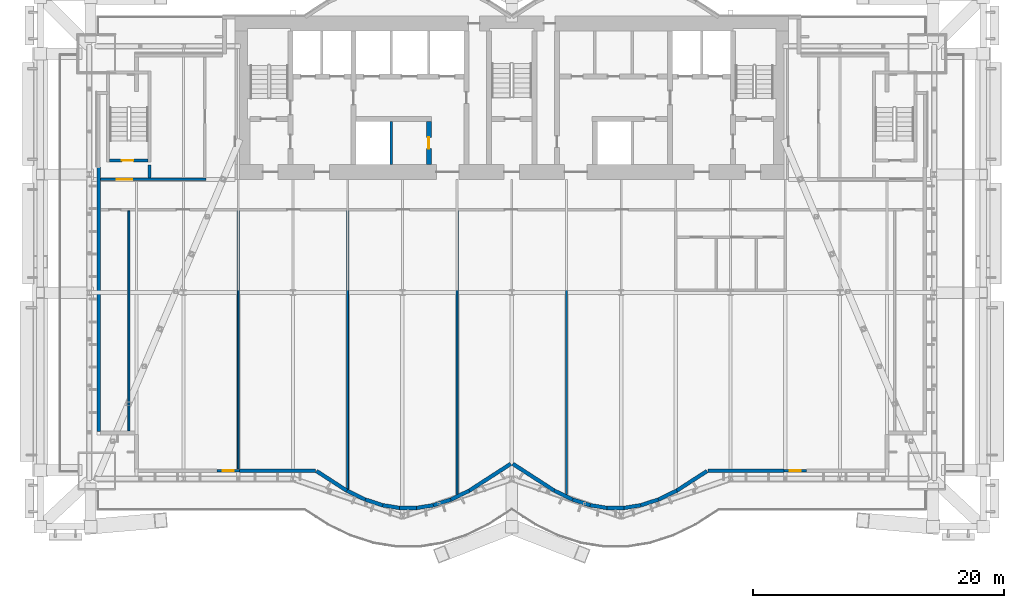
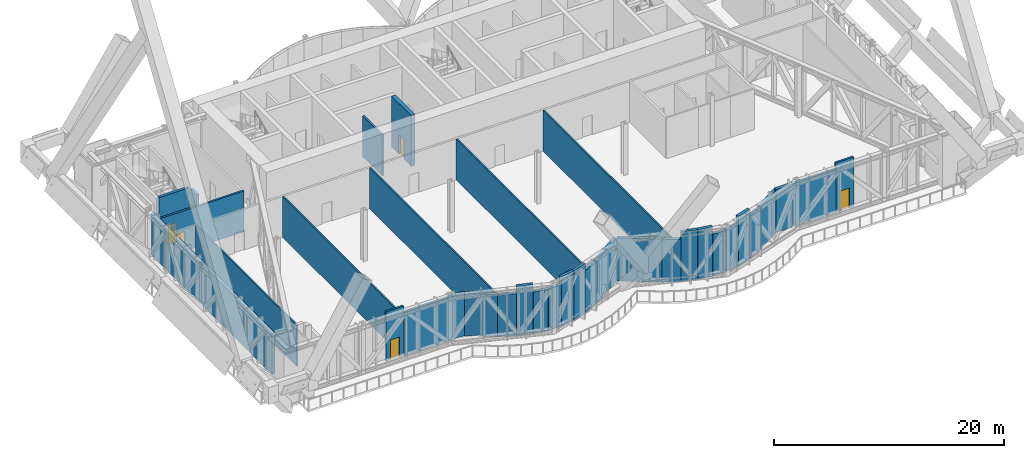
# One storey, part 25 of 32: 33 walls, 5 doors, 5 openings.
"""IFC4 building model written with IfcOpenShell, lengths in metres."""

from ifc_helpers import new_model, si_unit, direction, frame, frame_2d, origin, place, context, subcontext, project, spatial, rectangle, extrude, material, layer, layer_set, layer_usage, type_object, element, fill, save


model = new_model("IFC4")

# Units and contexts
model_context = context("Model", 3, precision=1e-05, world=origin(), true_north=direction((0.0, 1.0)))
body_context = subcontext(model_context, "Body", "Model", "MODEL_VIEW")
ifc_project = project(units=[si_unit("LENGTHUNIT", "METRE"), si_unit("AREAUNIT", "SQUARE_METRE"), si_unit("VOLUMEUNIT", "CUBIC_METRE"), si_unit("PLANEANGLEUNIT", "RADIAN"), si_unit("MASSUNIT", "GRAM", prefix="KILO")], contexts=[model_context])

# Site, building, storey
site_placement = place(None, origin())
site = spatial("IfcSite", under=ifc_project, at=site_placement, CompositionType="ELEMENT")
building_placement = place(site_placement, origin())
building = spatial("IfcBuilding", under=site, at=building_placement, Name="Bicima Exchange Tower", CompositionType="ELEMENT")
storey_placement = place(building_placement, frame((0.0, 0.0, 84.5)))
storey = spatial("IfcBuildingStorey", under=building, at=storey_placement, Name="L17", CompositionType="ELEMENT", Elevation=84.5)

# Wall, opening, door
ifc_material_1 = material(Name="Concrete C40/50", Category="concrete")
ifc_layer_1 = layer(ifc_material_1, 0.2)
ifc_layer_set_1 = layer_set([ifc_layer_1], Name="Concrete C40/50")
ifc_layer_usage_1 = layer_usage(ifc_layer_set_1, "AXIS2", "POSITIVE", -0.1)
wall_type_1 = type_object("IfcWallType", Name="Entrance frame wall 200", PredefinedType="STANDARD", material=ifc_layer_set_1)
wall_1_placement = place(storey_placement, frame((-21.64990234375, -36.166015625, 0.0), z_axis=(0.0, 0.0, 1.0), x_axis=(-1.0, 0.0, 0.0)))
wall_1 = element("IfcWall", 1, at=wall_1_placement, inside=storey, type_object=wall_type_1, material=ifc_layer_usage_1, Name="Band door frame wall L17", PredefinedType="STANDARD", context=body_context, shape_type="SweptSolid", body=[
    extrude(rectangle(XDim=1.800048828125, YDim=0.199951171875, at=frame_2d((0.89990234375, 0.0))), origin(), (0.0, 0.0, 1.0), 5.25),
])
opening_1_placement = place(wall_1_placement, frame((0.449951171875, 0.0, 0.0)))
opening_1 = element("IfcOpeningElement", 2, at=opening_1_placement, cuts=wall_1, Name="Opening DX5", PredefinedType="OPENING", context=body_context, shape_type="SweptSolid", body=[
    extrude(rectangle(XDim=0.89990234375, YDim=2.10009765625, at=frame_2d((0.449951171875, 1.050048828125))), frame((0.0, 0.11181640625, 0.0), z_axis=(0.0, -1.0, 0.0), x_axis=(1.0, 0.0, 0.0)), (0.0, 0.0, 1.0), 0.223876953125),
])
ifc_material_2 = material(Name="Anodised bronze aluminium and bonded safety glass", Category="aluminium")
door_type_1 = type_object("IfcDoorType", Name="Band terrace door, single leaf 900 x 2100", OperationType="SINGLE_SWING_LEFT", PredefinedType="DOOR", material=ifc_material_2)
door_1_placement = place(opening_1_placement, origin())
door_1 = element("IfcDoor", 3, at=door_1_placement, inside=storey, type_object=door_type_1, Name="Band door door L17", OperationType="SINGLE_SWING_LEFT", OverallHeight=2.10009765625, OverallWidth=0.89990234375, PredefinedType="DOOR", context=body_context, shape_type="SweptSolid", body=[
    extrude(rectangle(XDim=0.89990234375, YDim=2.10009765625, at=frame_2d((0.449951171875, 1.050048828125))), frame((0.0, 0.02490234375, 0.0), z_axis=(0.0, -1.0, 0.0), x_axis=(1.0, 0.0, 0.0)), (0.0, 0.0, 1.0), 0.050048828125),
])
fill(opening_1, door_1)

wall_2_placement = place(storey_placement, frame((23.449951171875, -36.166015625, 0.0), z_axis=(0.0, 0.0, 1.0), x_axis=(-1.0, 0.0, 0.0)))
wall_2 = element("IfcWall", 4, at=wall_2_placement, inside=storey, type_object=wall_type_1, material=ifc_layer_usage_1, Name="Band door frame wall L17", PredefinedType="STANDARD", context=body_context, shape_type="SweptSolid", body=[
    extrude(rectangle(XDim=1.800048828125, YDim=0.199951171875, at=frame_2d((0.89990234375, 0.0))), origin(), (0.0, 0.0, 1.0), 5.25),
])
opening_2_placement = place(wall_2_placement, frame((0.449951171875, 0.0, 0.0)))
opening_2 = element("IfcOpeningElement", 5, at=opening_2_placement, cuts=wall_2, Name="Opening DX5", PredefinedType="OPENING", context=body_context, shape_type="SweptSolid", body=[
    extrude(rectangle(XDim=0.89990234375, YDim=2.10009765625, at=frame_2d((0.449951171875, 1.050048828125))), frame((0.0, 0.11181640625, 0.0), z_axis=(0.0, -1.0, 0.0), x_axis=(1.0, 0.0, 0.0)), (0.0, 0.0, 1.0), 0.223876953125),
])
door_2_placement = place(opening_2_placement, origin())
door_2 = element("IfcDoor", 6, at=door_2_placement, inside=storey, type_object=door_type_1, Name="Band door door L17", OperationType="SINGLE_SWING_LEFT", OverallHeight=2.10009765625, OverallWidth=0.89990234375, PredefinedType="DOOR", context=body_context, shape_type="SweptSolid", body=[
    extrude(rectangle(XDim=0.89990234375, YDim=2.10009765625, at=frame_2d((0.449951171875, 1.050048828125))), frame((0.0, 0.02490234375, 0.0), z_axis=(0.0, -1.0, 0.0), x_axis=(1.0, 0.0, 0.0)), (0.0, 0.0, 1.0), 0.050048828125),
])
fill(opening_2, door_2)

# Wall
ifc_material_3 = material(Name="Gypsum board partition")
ifc_layer_2 = layer(ifc_material_3, 0.199951171875)
ifc_layer_set_2 = layer_set([ifc_layer_2], Name="Gypsum board partition")
wall_type_2 = type_object("IfcWallType", Name="Fire-rated gypsum partition 200 EI120", PredefinedType="PARTITIONING", material=ifc_layer_set_2)
wall_3_placement = place(storey_placement, frame((-9.60009765625, -11.800048828125, 0.0), z_axis=(0.0, 0.0, 1.0), x_axis=(0.0, 1.0, 0.0)))
element("IfcWall", 7, at=wall_3_placement, inside=storey, type_object=wall_type_2, Name="partition wall 11", PredefinedType="PARTITIONING", context=body_context, shape_type="SweptSolid", body=[
    extrude(rectangle(XDim=3.400146484375, YDim=0.199951171875, at=frame_2d((1.7001953125, 0.0))), origin(), (0.0, 0.0, 1.0), 4.318115234375),
])

# Wall, opening, door
ifc_layer_3 = layer(ifc_material_3, 0.199951171875)
ifc_layer_set_3 = layer_set([ifc_layer_3], Name="Gypsum board partition")
wall_type_3 = type_object("IfcWallType", Name="Fire-rated gypsum partition 200 EI60", PredefinedType="PARTITIONING", material=ifc_layer_set_3)
wall_4_placement = place(storey_placement, frame((-32.699951171875, -13.0, 0.0), z_axis=(0.0, 0.0, 1.0), x_axis=(1.0, 0.0, 0.0)))
wall_4 = element("IfcWall", 8, at=wall_4_placement, inside=storey, type_object=wall_type_3, Name="partition wall 6", PredefinedType="PARTITIONING", context=body_context, shape_type="SweptSolid", body=[
    extrude(rectangle(XDim=8.39990234375, YDim=0.199951171875, at=frame_2d((4.199951171875, 0.0))), origin(), (0.0, 0.0, 1.0), 4.318115234375),
])
opening_3_placement = place(wall_4_placement, frame((1.300048828125, 0.0, 0.0)))
opening_3 = element("IfcOpeningElement", 9, at=opening_3_placement, cuts=wall_4, Name="Opening L17-001", PredefinedType="OPENING", context=body_context, shape_type="SweptSolid", body=[
    extrude(rectangle(XDim=1.199951171875, YDim=2.10009765625, at=frame_2d((0.60009765625, 1.050048828125))), frame((0.0, 0.11181640625, 0.0), z_axis=(0.0, -1.0, 0.0), x_axis=(1.0, 0.0, 0.0)), (0.0, 0.0, 1.0), 0.223876953125),
])
ifc_material_4 = material(Name="Steel fire door leaf", Category="steel")
door_type_2 = type_object("IfcDoorType", Name="Door 1200 swing FD30S", OperationType="SINGLE_SWING_LEFT", PredefinedType="DOOR", material=ifc_material_4)
door_3_placement = place(opening_3_placement, origin())
door_3 = element("IfcDoor", 10, at=door_3_placement, inside=storey, type_object=door_type_2, Name="Door", OperationType="SINGLE_SWING_LEFT", OverallHeight=2.10009765625, OverallWidth=1.199951171875, PredefinedType="DOOR", context=body_context, shape_type="SweptSolid", body=[
    extrude(rectangle(XDim=1.199951171875, YDim=2.10009765625, at=frame_2d((0.60009765625, 1.050048828125))), frame((0.0, 0.02490234375, 0.0), z_axis=(0.0, -1.0, 0.0), x_axis=(1.0, 0.0, 0.0)), (0.0, 0.0, 1.0), 0.050048828125),
])
fill(opening_3, door_3)

# Walls
ifc_layer_4 = layer(ifc_material_3, 0.14990234375)
ifc_layer_set_4 = layer_set([ifc_layer_4], Name="Gypsum board partition")
wall_type_4 = type_object("IfcWallType", Name="Gypsum partition 150", PredefinedType="PARTITIONING", material=ifc_layer_set_4)
wall_5_placement = place(storey_placement, frame((-30.449951171875, -33.02001953125, 0.0), z_axis=(0.0, 0.0, 1.0), x_axis=(0.0, 1.0, 0.0)))
element("IfcWall", 11, at=wall_5_placement, inside=storey, type_object=wall_type_4, Name="partition wall 13", PredefinedType="PARTITIONING", context=body_context, shape_type="SweptSolid", body=[
    extrude(rectangle(XDim=17.52001953125, YDim=0.14990234375, at=frame_2d((8.760009765625, 0.0))), origin(), (0.0, 0.0, 1.0), 4.318115234375),
])
wall_6_placement = place(storey_placement, frame((-21.75, -36.02001953125, 0.0), z_axis=(0.0, 0.0, 1.0), x_axis=(0.0, 1.0, 0.0)))
element("IfcWall", 12, at=wall_6_placement, inside=storey, type_object=wall_type_4, Name="partition wall 16", PredefinedType="PARTITIONING", context=body_context, shape_type="SweptSolid", body=[
    extrude(rectangle(XDim=20.52001953125, YDim=0.14990234375, at=frame_2d((10.260009765625, 0.0))), origin(), (0.0, 0.0, 1.0), 4.318115234375),
])
wall_7_placement = place(storey_placement, frame((-13.050048828125, -37.6201171875, 0.0), z_axis=(0.0, 0.0, 1.0), x_axis=(0.0, 1.0, 0.0)))
element("IfcWall", 13, at=wall_7_placement, inside=storey, type_object=wall_type_4, Name="partition wall 17", PredefinedType="PARTITIONING", context=body_context, shape_type="SweptSolid", body=[
    extrude(rectangle(XDim=22.1201171875, YDim=0.14990234375, at=frame_2d((11.06005859375, 0.0))), origin(), (0.0, 0.0, 1.0), 4.318115234375),
])
for number, where, z_axis, x_axis, name in (
    (14, (-4.35009765625, -38.050048828125, 0.0), (0.0, 0.0, 1.0), (0.0, 1.0, 0.0), "partition wall 18"),
    (15, (4.35009765625, -38.050048828125, 0.0), (0.0, 0.0, 1.0), (0.0, 1.0, 0.0), "partition wall 19"),
):
    element("IfcWall", number, at=place(storey_placement, frame(where, z_axis=z_axis, x_axis=x_axis)), inside=storey, type_object=wall_type_4, Name=name, PredefinedType="PARTITIONING", context=body_context, shape_type="SweptSolid", body=[
        extrude(rectangle(XDim=22.550048828125, YDim=0.14990234375, at=frame_2d((11.27490234375, 0.0))), origin(), (0.0, 0.0, 1.0), 4.318115234375),
    ])
ifc_material_5 = material(Name="Concrete C50/60", Category="concrete")
ifc_layer_5 = layer(ifc_material_5, 0.25)
ifc_layer_set_5 = layer_set([ifc_layer_5], Name="Concrete C50/60")
wall_type_5 = type_object("IfcWallType", Name="RC core wall 250 C50/60", PredefinedType="SHEAR", material=ifc_layer_set_5)
wall_8_placement = place(storey_placement, frame((-28.800048828125, -12.89990234375, 0.0), z_axis=(0.0, 0.0, 1.0), x_axis=(0.0, 1.0, 0.0)))
element("IfcWall", 16, at=wall_8_placement, inside=storey, type_object=wall_type_5, Name="stair wall 14", PredefinedType="SHEAR", context=body_context, shape_type="SweptSolid", body=[
    extrude(rectangle(XDim=1.0498046875, YDim=0.25, at=frame_2d((0.52490234375, 0.0))), origin(), (0.0, 0.0, 1.0), 5.39990234375),
])

# Wall, opening, door
ifc_material_6 = material(Name="Concrete C60/75", Category="concrete")
ifc_layer_6 = layer(ifc_material_6, 0.39990234375)
ifc_layer_set_6 = layer_set([ifc_layer_6], Name="Concrete C60/75")
wall_type_6 = type_object("IfcWallType", Name="RC core wall 400 C60/75", PredefinedType="SHEAR", material=ifc_layer_set_6)
wall_9_placement = place(storey_placement, frame((-6.60009765625, -11.800048828125, 0.0), z_axis=(0.0, 0.0, 1.0), x_axis=(0.0, 1.0, 0.0)))
wall_9 = element("IfcWall", 17, at=wall_9_placement, inside=storey, type_object=wall_type_6, Name="shear wall 13", PredefinedType="SHEAR", context=body_context, shape_type="SweptSolid", body=[
    extrude(rectangle(XDim=3.400146484375, YDim=0.39990234375, at=frame_2d((1.7001953125, 0.0))), origin(), (0.0, 0.0, 1.0), 5.39990234375),
])
opening_4_placement = place(wall_9_placement, frame((1.25, 0.0, 0.0)))
opening_4 = element("IfcOpeningElement", 18, at=opening_4_placement, cuts=wall_9, Name="Opening L17-C15", PredefinedType="OPENING", context=body_context, shape_type="SweptSolid", body=[
    extrude(rectangle(XDim=0.89990234375, YDim=2.10009765625, at=frame_2d((0.449951171875, 1.050048828125))), frame((0.0, 0.2119140625, 0.0), z_axis=(0.0, -1.0, 0.0), x_axis=(1.0, 0.0, 0.0)), (0.0, 0.0, 1.0), 0.423828125),
])
door_type_3 = type_object("IfcDoorType", Name="Door 900 swing FD30S", OperationType="SINGLE_SWING_LEFT", PredefinedType="DOOR", material=ifc_material_4)
door_4_placement = place(opening_4_placement, origin())
door_4 = element("IfcDoor", 19, at=door_4_placement, inside=storey, type_object=door_type_3, Name="Core door", OperationType="SINGLE_SWING_LEFT", OverallHeight=2.10009765625, OverallWidth=0.89990234375, PredefinedType="DOOR", context=body_context, shape_type="SweptSolid", body=[
    extrude(rectangle(XDim=0.89990234375, YDim=2.10009765625, at=frame_2d((0.449951171875, 1.050048828125))), frame((0.0, 0.02490234375, 0.0), z_axis=(0.0, -1.0, 0.0), x_axis=(1.0, 0.0, 0.0)), (0.0, 0.0, 1.0), 0.050048828125),
])
fill(opening_4, door_4)

ifc_layer_7 = layer(ifc_material_5, 0.25)
ifc_layer_set_7 = layer_set([ifc_layer_7], Name="Concrete C50/60")
wall_type_7 = type_object("IfcWallType", Name="RC stair enclosure wall 250 C50/60", PredefinedType="SHEAR", material=ifc_layer_set_7)
wall_10_placement = place(storey_placement, frame((-31.97509765625, -11.5, 0.0), z_axis=(0.0, 0.0, 1.0), x_axis=(1.0, 0.0, 0.0)))
wall_10 = element("IfcWall", 20, at=wall_10_placement, inside=storey, type_object=wall_type_7, Name="West end exit stair wall S", PredefinedType="SHEAR", context=body_context, shape_type="SweptSolid", body=[
    extrude(rectangle(XDim=3.050048828125, YDim=0.25, at=frame_2d((1.52490234375, 0.0))), origin(), (0.0, 0.0, 1.0), 5.39990234375),
])
opening_5_placement = place(wall_10_placement, frame((0.97509765625, 0.0, 0.0)))
opening_5 = element("IfcOpeningElement", 21, at=opening_5_placement, cuts=wall_10, Name="Opening L17-002", PredefinedType="OPENING", context=body_context, shape_type="SweptSolid", body=[
    extrude(rectangle(XDim=0.89990234375, YDim=2.10009765625, at=frame_2d((0.449951171875, 1.050048828125))), frame((0.0, 0.136962890625, 0.0), z_axis=(0.0, -1.0, 0.0), x_axis=(1.0, 0.0, 0.0)), (0.0, 0.0, 1.0), 0.27392578125),
])
door_type_4 = type_object("IfcDoorType", Name="Door 900 swing FD60S", OperationType="SINGLE_SWING_LEFT", PredefinedType="DOOR", material=ifc_material_4)
door_5_placement = place(opening_5_placement, origin())
door_5 = element("IfcDoor", 22, at=door_5_placement, inside=storey, type_object=door_type_4, Name="Door", OperationType="SINGLE_SWING_LEFT", OverallHeight=2.10009765625, OverallWidth=0.89990234375, PredefinedType="DOOR", context=body_context, shape_type="SweptSolid", body=[
    extrude(rectangle(XDim=0.89990234375, YDim=2.10009765625, at=frame_2d((0.449951171875, 1.050048828125))), frame((0.0, 0.02490234375, 0.0), z_axis=(0.0, -1.0, 0.0), x_axis=(1.0, 0.0, 0.0)), (0.0, 0.0, 1.0), 0.050048828125),
])
fill(opening_5, door_5)

# Walls
ifc_layer_8 = layer(ifc_material_1, 0.3)
ifc_layer_set_8 = layer_set([ifc_layer_8], Name="Concrete C40/50")
ifc_layer_usage_2 = layer_usage(ifc_layer_set_8, "AXIS2", "POSITIVE", -0.15)
wall_type_8 = type_object("IfcWallType", Name="Refuge band wall 300", PredefinedType="STANDARD", material=ifc_layer_set_8)
wall_11_placement = place(storey_placement, frame((-32.85009765625, -12.0, 0.0), z_axis=(0.0, 0.0, 1.0), x_axis=(0.0, -1.0, 0.0)))
element("IfcWall", 23, at=wall_11_placement, inside=storey, type_object=wall_type_8, material=ifc_layer_usage_2, Name="Refuge band wall L17", PredefinedType="STANDARD", context=body_context, shape_type="SweptSolid", body=[
    extrude(rectangle(XDim=21.0400390625, YDim=0.300048828125, at=frame_2d((10.52001953125, 0.0))), origin(), (0.0, 0.0, 1.0), 4.338134765625),
])
wall_12_placement = place(storey_placement, frame((-21.64990234375, -36.166015625, 0.0), z_axis=(0.0, 0.0, 1.0), x_axis=(1.0, 0.0, 0.0)))
element("IfcWall", 24, at=wall_12_placement, inside=storey, type_object=wall_type_8, material=ifc_layer_usage_2, Name="Refuge band wall L17", PredefinedType="STANDARD", context=body_context, shape_type="SweptSolid", body=[
    extrude(rectangle(XDim=6.03515625, YDim=0.300048828125, at=frame_2d((3.017578125, 0.0))), origin(), (0.0, 0.0, 1.0), 4.57177734375),
])
wall_13_placement = place(storey_placement, frame((-15.533203125, -36.18994140625, 0.0), z_axis=(0.0, 0.0, 1.0), x_axis=(0.839779682339, -0.542927329512, 0.0)))
element("IfcWall", 25, at=wall_13_placement, inside=storey, type_object=wall_type_8, material=ifc_layer_usage_2, Name="Refuge band wall L17", PredefinedType="STANDARD", context=body_context, shape_type="SweptSolid", body=[
    extrude(rectangle(XDim=2.875244140625, YDim=0.300048828125, at=frame_2d((1.4375, 0.0))), origin(), (0.0, 0.0, 1.0), 4.49560546875),
])
wall_14_placement = place(storey_placement, frame((-13.11865234375, -37.7509765625, 0.0), z_axis=(0.0, 0.0, 1.0), x_axis=(0.899798026589, -0.436306671214, 0.0)))
element("IfcWall", 26, at=wall_14_placement, inside=storey, type_object=wall_type_8, material=ifc_layer_usage_2, Name="Refuge band wall L17", PredefinedType="STANDARD", context=body_context, shape_type="SweptSolid", body=[
    extrude(rectangle(XDim=1.62548828125, YDim=0.300048828125, at=frame_2d((0.812744140625, 0.0))), origin(), (0.0, 0.0, 1.0), 4.49560546875),
])
wall_15_placement = place(storey_placement, frame((-11.656005859375, -38.460205078125, 0.0), z_axis=(0.0, 0.0, 1.0), x_axis=(0.951539081691, -0.307527845919, 0.0)))
element("IfcWall", 27, at=wall_15_placement, inside=storey, type_object=wall_type_8, material=ifc_layer_usage_2, Name="Refuge band wall L17", PredefinedType="STANDARD", context=body_context, shape_type="SweptSolid", body=[
    extrude(rectangle(XDim=1.467041015625, YDim=0.300048828125, at=frame_2d((0.7333984375, 0.0))), origin(), (0.0, 0.0, 1.0), 5.25),
])
wall_16_placement = place(storey_placement, frame((-10.260009765625, -38.911376953125, 0.0), z_axis=(0.0, 0.0, 1.0), x_axis=(0.987194777017, -0.15951950423, 0.0)))
element("IfcWall", 28, at=wall_16_placement, inside=storey, type_object=wall_type_8, material=ifc_layer_usage_2, Name="Refuge band wall L17", PredefinedType="STANDARD", context=body_context, shape_type="SweptSolid", body=[
    extrude(rectangle(XDim=1.36376953125, YDim=0.300048828125, at=frame_2d((0.681884765625, 0.0))), origin(), (0.0, 0.0, 1.0), 4.414306640625),
])
wall_17_placement = place(storey_placement, frame((-8.913818359375, -39.12890625, 0.0), z_axis=(0.0, 0.0, 1.0), x_axis=(1.0, 0.0, 0.0)))
element("IfcWall", 29, at=wall_17_placement, inside=storey, type_object=wall_type_8, material=ifc_layer_usage_2, Name="Refuge band wall L17", PredefinedType="STANDARD", context=body_context, shape_type="SweptSolid", body=[
    extrude(rectangle(XDim=1.32763671875, YDim=0.300048828125, at=frame_2d((0.663818359375, 0.0))), origin(), (0.0, 0.0, 1.0), 4.414306640625),
])
wall_18_placement = place(storey_placement, frame((-7.586181640625, -39.12890625, 0.0), z_axis=(0.0, 0.0, 1.0), x_axis=(0.987194777017, 0.15951950423, 0.0)))
element("IfcWall", 30, at=wall_18_placement, inside=storey, type_object=wall_type_8, material=ifc_layer_usage_2, Name="Refuge band wall L17", PredefinedType="STANDARD", context=body_context, shape_type="SweptSolid", body=[
    extrude(rectangle(XDim=1.36376953125, YDim=0.300048828125, at=frame_2d((0.681884765625, 0.0))), origin(), (0.0, 0.0, 1.0), 5.25),
])
wall_19_placement = place(storey_placement, frame((-6.239990234375, -38.911376953125, 0.0), z_axis=(0.0, 0.0, 1.0), x_axis=(0.951539081691, 0.307527845919, 0.0)))
element("IfcWall", 31, at=wall_19_placement, inside=storey, type_object=wall_type_8, material=ifc_layer_usage_2, Name="Refuge band wall L17", PredefinedType="STANDARD", context=body_context, shape_type="SweptSolid", body=[
    extrude(rectangle(XDim=1.467041015625, YDim=0.300048828125, at=frame_2d((0.7333984375, 0.0))), origin(), (0.0, 0.0, 1.0), 5.25),
])
wall_20_placement = place(storey_placement, frame((-4.843994140625, -38.460205078125, 0.0), z_axis=(0.0, 0.0, 1.0), x_axis=(0.899798026589, 0.436306671214, 0.0)))
element("IfcWall", 32, at=wall_20_placement, inside=storey, type_object=wall_type_8, material=ifc_layer_usage_2, Name="Refuge band wall L17", PredefinedType="STANDARD", context=body_context, shape_type="SweptSolid", body=[
    extrude(rectangle(XDim=1.62548828125, YDim=0.300048828125, at=frame_2d((0.812744140625, 0.0))), origin(), (0.0, 0.0, 1.0), 4.49560546875),
])
for number, where, z_axis, x_axis, name in (
    (33, (-3.38134765625, -37.7509765625, 0.0), (0.0, 0.0, 1.0), (0.839805110115, 0.542887996759, 0.0), "Refuge band wall L17"),
    (34, (0.081298828125, -35.61767578125, 0.0), (0.0, 0.0, 1.0), (0.839805110115, -0.542887996759, 0.0), "Refuge band wall L17"),
):
    element("IfcWall", number, at=place(storey_placement, frame(where, z_axis=z_axis, x_axis=x_axis)), inside=storey, type_object=wall_type_8, material=ifc_layer_usage_2, Name=name, PredefinedType="STANDARD", context=body_context, shape_type="SweptSolid", body=[
        extrude(rectangle(XDim=3.929443359375, YDim=0.300048828125, at=frame_2d((1.96484375, 0.0))), origin(), (0.0, 0.0, 1.0), 4.57177734375),
    ])
wall_21_placement = place(storey_placement, frame((3.38134765625, -37.7509765625, 0.0), z_axis=(0.0, 0.0, 1.0), x_axis=(0.899798026589, -0.436306671214, 0.0)))
element("IfcWall", 35, at=wall_21_placement, inside=storey, type_object=wall_type_8, material=ifc_layer_usage_2, Name="Refuge band wall L17", PredefinedType="STANDARD", context=body_context, shape_type="SweptSolid", body=[
    extrude(rectangle(XDim=1.62548828125, YDim=0.300048828125, at=frame_2d((0.812744140625, 0.0))), origin(), (0.0, 0.0, 1.0), 4.49560546875),
])
wall_22_placement = place(storey_placement, frame((4.843994140625, -38.460205078125, 0.0), z_axis=(0.0, 0.0, 1.0), x_axis=(0.951539081691, -0.307527845919, 0.0)))
element("IfcWall", 36, at=wall_22_placement, inside=storey, type_object=wall_type_8, material=ifc_layer_usage_2, Name="Refuge band wall L17", PredefinedType="STANDARD", context=body_context, shape_type="SweptSolid", body=[
    extrude(rectangle(XDim=1.467041015625, YDim=0.300048828125, at=frame_2d((0.7333984375, 0.0))), origin(), (0.0, 0.0, 1.0), 5.25),
])
wall_23_placement = place(storey_placement, frame((6.239990234375, -38.911376953125, 0.0), z_axis=(0.0, 0.0, 1.0), x_axis=(0.987194777017, -0.15951950423, 0.0)))
element("IfcWall", 37, at=wall_23_placement, inside=storey, type_object=wall_type_8, material=ifc_layer_usage_2, Name="Refuge band wall L17", PredefinedType="STANDARD", context=body_context, shape_type="SweptSolid", body=[
    extrude(rectangle(XDim=1.36376953125, YDim=0.300048828125, at=frame_2d((0.681884765625, 0.0))), origin(), (0.0, 0.0, 1.0), 5.25),
])
wall_24_placement = place(storey_placement, frame((7.586181640625, -39.12890625, 0.0), z_axis=(0.0, 0.0, 1.0), x_axis=(1.0, 0.0, 0.0)))
element("IfcWall", 38, at=wall_24_placement, inside=storey, type_object=wall_type_8, material=ifc_layer_usage_2, Name="Refuge band wall L17", PredefinedType="STANDARD", context=body_context, shape_type="SweptSolid", body=[
    extrude(rectangle(XDim=1.32763671875, YDim=0.300048828125, at=frame_2d((0.663818359375, 0.0))), origin(), (0.0, 0.0, 1.0), 4.414306640625),
])
wall_25_placement = place(storey_placement, frame((8.913818359375, -39.12890625, 0.0), z_axis=(0.0, 0.0, 1.0), x_axis=(0.987194777017, 0.15951950423, 0.0)))
element("IfcWall", 39, at=wall_25_placement, inside=storey, type_object=wall_type_8, material=ifc_layer_usage_2, Name="Refuge band wall L17", PredefinedType="STANDARD", context=body_context, shape_type="SweptSolid", body=[
    extrude(rectangle(XDim=1.36376953125, YDim=0.300048828125, at=frame_2d((0.681884765625, 0.0))), origin(), (0.0, 0.0, 1.0), 4.414306640625),
])
wall_26_placement = place(storey_placement, frame((10.260009765625, -38.911376953125, 0.0), z_axis=(0.0, 0.0, 1.0), x_axis=(0.951539081691, 0.307527845919, 0.0)))
element("IfcWall", 40, at=wall_26_placement, inside=storey, type_object=wall_type_8, material=ifc_layer_usage_2, Name="Refuge band wall L17", PredefinedType="STANDARD", context=body_context, shape_type="SweptSolid", body=[
    extrude(rectangle(XDim=1.467041015625, YDim=0.300048828125, at=frame_2d((0.7333984375, 0.0))), origin(), (0.0, 0.0, 1.0), 5.25),
])
wall_27_placement = place(storey_placement, frame((11.656005859375, -38.460205078125, 0.0), z_axis=(0.0, 0.0, 1.0), x_axis=(0.899798026589, 0.436306671214, 0.0)))
element("IfcWall", 41, at=wall_27_placement, inside=storey, type_object=wall_type_8, material=ifc_layer_usage_2, Name="Refuge band wall L17", PredefinedType="STANDARD", context=body_context, shape_type="SweptSolid", body=[
    extrude(rectangle(XDim=1.62548828125, YDim=0.300048828125, at=frame_2d((0.812744140625, 0.0))), origin(), (0.0, 0.0, 1.0), 4.49560546875),
])
wall_28_placement = place(storey_placement, frame((13.11865234375, -37.7509765625, 0.0), z_axis=(0.0, 0.0, 1.0), x_axis=(0.839779682339, 0.542927329512, 0.0)))
element("IfcWall", 42, at=wall_28_placement, inside=storey, type_object=wall_type_8, material=ifc_layer_usage_2, Name="Refuge band wall L17", PredefinedType="STANDARD", context=body_context, shape_type="SweptSolid", body=[
    extrude(rectangle(XDim=2.875244140625, YDim=0.300048828125, at=frame_2d((1.4375, 0.0))), origin(), (0.0, 0.0, 1.0), 4.49560546875),
])
wall_29_placement = place(storey_placement, frame((15.61474609375, -36.166015625, 0.0), z_axis=(0.0, 0.0, 1.0), x_axis=(1.0, 0.0, 0.0)))
element("IfcWall", 43, at=wall_29_placement, inside=storey, type_object=wall_type_8, material=ifc_layer_usage_2, Name="Refuge band wall L17", PredefinedType="STANDARD", context=body_context, shape_type="SweptSolid", body=[
    extrude(rectangle(XDim=6.03515625, YDim=0.300048828125, at=frame_2d((3.017578125, 0.0))), origin(), (0.0, 0.0, 1.0), 4.57177734375),
])

save(model, "model.ifc")
